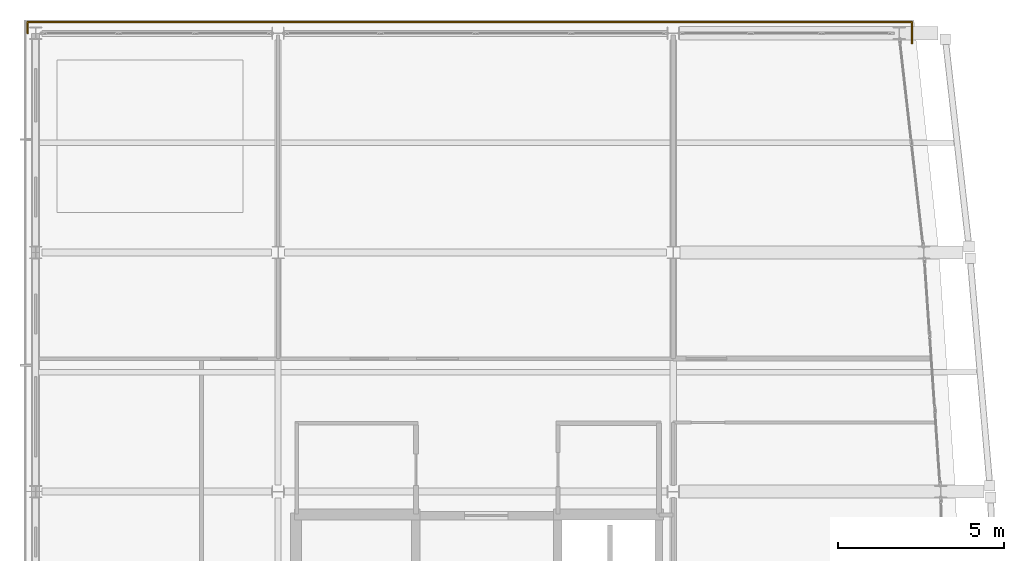
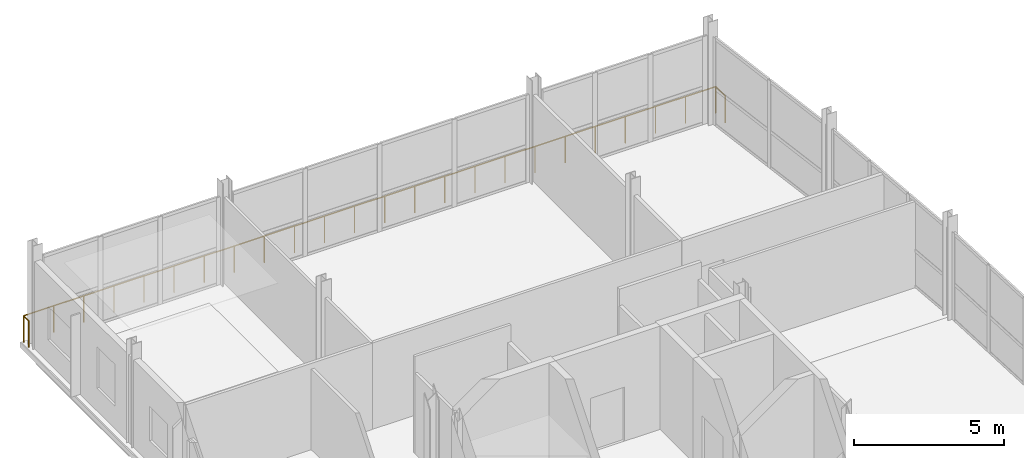
# One storey, part 23 of 23: 1 railing.
"""IFC4 building model written with IfcOpenShell, lengths in metres."""

from ifc_helpers import new_model, si_unit, direction, frame, origin, origin_2d, place, context, subcontext, project, spatial, circle, extrude, material, type_object, element, save


model = new_model("IFC4")

# Units and contexts
model_context = context("Model", 3, precision=1e-05, world=origin(), true_north=direction((0.0, 1.0)))
body_context = subcontext(model_context, "Body", "Model", "MODEL_VIEW")
ifc_project = project(units=[si_unit("LENGTHUNIT", "METRE"), si_unit("AREAUNIT", "SQUARE_METRE"), si_unit("VOLUMEUNIT", "CUBIC_METRE"), si_unit("PLANEANGLEUNIT", "RADIAN"), si_unit("MASSUNIT", "GRAM", prefix="KILO")], contexts=[model_context])

# Site, building, storey
site_placement = place(None, origin())
site = spatial("IfcSite", under=ifc_project, at=site_placement, CompositionType="ELEMENT")
building_placement = place(site_placement, origin())
building = spatial("IfcBuilding", under=site, at=building_placement, Name="Quillay Park Conservatory", CompositionType="ELEMENT")
storey_placement = place(building_placement, frame((0.0, 0.0, 22.5)))
storey = spatial("IfcBuildingStorey", under=building, at=storey_placement, Name="L05", CompositionType="ELEMENT", Elevation=22.5)

# Railing
ifc_material = material(Name="Steel S355J2H", Category="steel")
railing_type = type_object("IfcRailingType", Name="TERRACE PERIMETER GUARDRAIL 1100", PredefinedType="GUARDRAIL", material=ifc_material)
railing_placement = place(storey_placement, frame((0.31005859375, 113.39990234375, 0.0)))
element("IfcRailing", 1, at=railing_placement, inside=storey, type_object=railing_type, Name="L05 Perimeter Safety Guardrail 028", PredefinedType="GUARDRAIL", context=body_context, shape_type="SweptSolid", body=[
    extrude(circle(Radius=0.02392578125, at=origin_2d()), frame((0.0, 0.0, 1.076171875), z_axis=(0.0, 1.0, 0.0), x_axis=(-1.0, 0.0, 0.0)), (0.0, 0.0, 1.0), 0.340087890625),
    extrude(circle(Radius=0.02392578125, at=origin_2d()), frame((0.0, 0.340087890625, 1.076171875), z_axis=(1.0, 0.0, 0.0), x_axis=(0.0, 1.0, 0.0)), (0.0, 0.0, 1.0), 26.6298828125),
    extrude(circle(Radius=0.02392578125, at=origin_2d()), frame((26.6298828125, 0.340087890625, 1.076171875), z_axis=(0.0, -1.0, 0.0), x_axis=(1.0, 0.0, 0.0)), (0.0, 0.0, 1.0), 0.639892578125),
    extrude(circle(Radius=0.02099609375, at=origin_2d()), origin(), (0.0, 0.0, 1.0), 1.052001953125),
    extrude(circle(Radius=0.02099609375, at=origin_2d()), frame((0.0, 0.340087890625, 0.0)), (0.0, 0.0, 1.0), 1.052001953125),
    extrude(circle(Radius=0.02099609375, at=origin_2d()), frame((1.15771484375, 0.340087890625, 0.0)), (0.0, 0.0, 1.0), 1.052001953125),
    extrude(circle(Radius=0.02099609375, at=origin_2d()), frame((2.315673828125, 0.340087890625, 0.0)), (0.0, 0.0, 1.0), 1.052001953125),
    extrude(circle(Radius=0.02099609375, at=origin_2d()), frame((3.473388671875, 0.340087890625, 0.0)), (0.0, 0.0, 1.0), 1.052001953125),
    extrude(circle(Radius=0.02099609375, at=origin_2d()), frame((4.63134765625, 0.340087890625, 0.0)), (0.0, 0.0, 1.0), 1.052001953125),
    extrude(circle(Radius=0.02099609375, at=origin_2d()), frame((5.7890625, 0.340087890625, 0.0)), (0.0, 0.0, 1.0), 1.052001953125),
    extrude(circle(Radius=0.02099609375, at=origin_2d()), frame((6.947021484375, 0.340087890625, 0.0)), (0.0, 0.0, 1.0), 1.052001953125),
    extrude(circle(Radius=0.02099609375, at=origin_2d()), frame((8.104736328125, 0.340087890625, 0.0)), (0.0, 0.0, 1.0), 1.052001953125),
    extrude(circle(Radius=0.02099609375, at=origin_2d()), frame((9.262451171875, 0.340087890625, 0.0)), (0.0, 0.0, 1.0), 1.052001953125),
    extrude(circle(Radius=0.02099609375, at=origin_2d()), frame((10.42041015625, 0.340087890625, 0.0)), (0.0, 0.0, 1.0), 1.052001953125),
    extrude(circle(Radius=0.02099609375, at=origin_2d()), frame((11.578125, 0.340087890625, 0.0)), (0.0, 0.0, 1.0), 1.052001953125),
    extrude(circle(Radius=0.02099609375, at=origin_2d()), frame((12.736083984375, 0.340087890625, 0.0)), (0.0, 0.0, 1.0), 1.052001953125),
    extrude(circle(Radius=0.02099609375, at=origin_2d()), frame((13.893798828125, 0.340087890625, 0.0)), (0.0, 0.0, 1.0), 1.052001953125),
    extrude(circle(Radius=0.02099609375, at=origin_2d()), frame((15.0517578125, 0.340087890625, 0.0)), (0.0, 0.0, 1.0), 1.052001953125),
    extrude(circle(Radius=0.02099609375, at=origin_2d()), frame((16.20947265625, 0.340087890625, 0.0)), (0.0, 0.0, 1.0), 1.052001953125),
    extrude(circle(Radius=0.02099609375, at=origin_2d()), frame((17.367431640625, 0.340087890625, 0.0)), (0.0, 0.0, 1.0), 1.052001953125),
    extrude(circle(Radius=0.02099609375, at=origin_2d()), frame((18.525146484375, 0.340087890625, 0.0)), (0.0, 0.0, 1.0), 1.052001953125),
    extrude(circle(Radius=0.02099609375, at=origin_2d()), frame((19.682861328125, 0.340087890625, 0.0)), (0.0, 0.0, 1.0), 1.052001953125),
    extrude(circle(Radius=0.02099609375, at=origin_2d()), frame((20.8408203125, 0.340087890625, 0.0)), (0.0, 0.0, 1.0), 1.052001953125),
    extrude(circle(Radius=0.02099609375, at=origin_2d()), frame((21.99853515625, 0.340087890625, 0.0)), (0.0, 0.0, 1.0), 1.052001953125),
    extrude(circle(Radius=0.02099609375, at=origin_2d()), frame((23.156494140625, 0.340087890625, 0.0)), (0.0, 0.0, 1.0), 1.052001953125),
    extrude(circle(Radius=0.02099609375, at=origin_2d()), frame((24.314208984375, 0.340087890625, 0.0)), (0.0, 0.0, 1.0), 1.052001953125),
    extrude(circle(Radius=0.02099609375, at=origin_2d()), frame((25.47216796875, 0.340087890625, 0.0)), (0.0, 0.0, 1.0), 1.052001953125),
    extrude(circle(Radius=0.02099609375, at=origin_2d()), frame((26.6298828125, 0.340087890625, 0.0)), (0.0, 0.0, 1.0), 1.052001953125),
    extrude(circle(Radius=0.02099609375, at=origin_2d()), frame((26.6298828125, -0.2998046875, 0.0)), (0.0, 0.0, 1.0), 1.052001953125),
])

save(model, "model.ifc")
